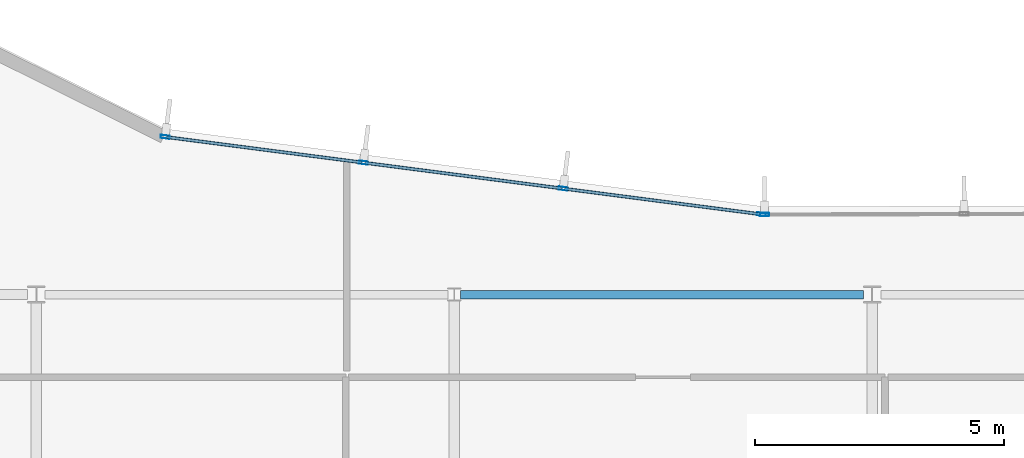
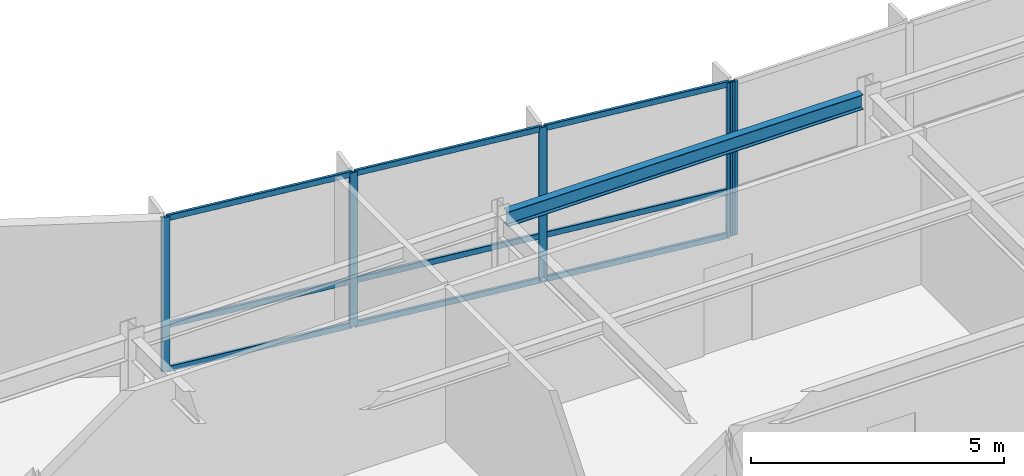
# One storey, part 6 of 15: 14 members, 1 beam, 2 elements without a shape of their own.
"""IFC4 building model written with IfcOpenShell, lengths in metres."""

from ifc_helpers import new_model, si_unit, direction, frame, origin, origin_2d, place, context, subcontext, project, spatial, hollow_rectangle, i_section, extrude, material, layer, layer_set, material_profile, profile_set, type_object, element, aggregate, save


model = new_model("IFC4")

# Units and contexts
model_context = context("Model", 3, precision=1e-05, world=origin(), true_north=direction((0.0, 1.0)))
body_context = subcontext(model_context, "Body", "Model", "MODEL_VIEW")
ifc_project = project(units=[si_unit("LENGTHUNIT", "METRE"), si_unit("AREAUNIT", "SQUARE_METRE"), si_unit("VOLUMEUNIT", "CUBIC_METRE"), si_unit("PLANEANGLEUNIT", "RADIAN"), si_unit("MASSUNIT", "GRAM", prefix="KILO")], contexts=[model_context])

# Site, building, storey
site_placement = place(None, origin())
site = spatial("IfcSite", under=ifc_project, at=site_placement, CompositionType="ELEMENT")
building_placement = place(site_placement, origin())
building = spatial("IfcBuilding", under=site, at=building_placement, Name="Varnakote Quay Hospital", CompositionType="ELEMENT")
storey_placement = place(building_placement, frame((0.0, 0.0, 248.64990234375)))
storey = spatial("IfcBuildingStorey", under=building, at=storey_placement, Name="L61", CompositionType="ELEMENT", Elevation=248.64990234375)

# Curtain wall, member
ifc_material_1 = material(Name="Anodised aluminium 6063-T6 Bronze", Category="aluminium")
ifc_layer = layer(ifc_material_1, 0.235107421875)
ifc_layer_set = layer_set([ifc_layer], Name="Anodised aluminium 6063-T6 Bronze")
curtain_wall_type = type_object("IfcCurtainWallType", Name="CW-SYS-5", PredefinedType="NOTDEFINED", material=ifc_layer_set)
curtain_wall_1_placement = place(storey_placement, origin())
curtain_wall_1 = element("IfcCurtainWall", 1, at=curtain_wall_1_placement, inside=storey, type_object=curtain_wall_type, Name="L61 Unitised Bronze Curtain Wall 1", PredefinedType="NOTDEFINED")
ifc_material_2 = material(Name="Anodised aluminium 6063-T6 Bronze", Category="aluminium")
ifc_material_profile_1 = material_profile(ifc_material_2, hollow_rectangle(XDim=0.06494140625, YDim=0.179931640625, WallThickness=0.00390625, InnerFilletRadius=0.00390625, OuterFilletRadius=0.008056640625, at=origin_2d()), Name="CW-MULL-180x65")
ifc_profile_set_1 = profile_set([ifc_material_profile_1], Name="Anodised aluminium 6063-T6 Bronze")
member_type_1 = type_object("IfcMemberType", Name="CW-MULL-180x65", PredefinedType="MULLION", material=ifc_profile_set_1)
member_1_placement = place(storey_placement, frame((31.4384765625, 30.408203125, 0.0), z_axis=(0.0, 0.0, 1.0), x_axis=(0.002604222224, -0.999996609008, 0.0)))
member_1 = element("IfcMember", 2, at=member_1_placement, type_object=member_type_1, Name="-5-L61-1 mullion 4", PredefinedType="MULLION", context=body_context, shape_type="SweptSolid", body=[
    extrude(hollow_rectangle(XDim=0.06494140625, YDim=0.179931640625, WallThickness=0.00390625, InnerFilletRadius=0.00390625, OuterFilletRadius=0.008056640625, at=origin_2d()), origin(), (0.0, 0.0, 1.0), 3.710205078125),
])
aggregate(curtain_wall_1, [member_1])

# Curtain wall, members
curtain_wall_2_placement = place(storey_placement, origin())
curtain_wall_2 = element("IfcCurtainWall", 3, at=curtain_wall_2_placement, inside=storey, type_object=curtain_wall_type, Name="L61 Unitised Bronze Curtain Wall 2", PredefinedType="NOTDEFINED")
member_2_placement = place(storey_placement, frame((31.373779296875, 30.412109375, 0.0), z_axis=(0.0, 0.0, 1.0), x_axis=(-0.128787109389, -0.99167226464, 0.0)))
member_2 = element("IfcMember", 4, at=member_2_placement, type_object=member_type_1, Name="-5-L61-2 mullion 1", PredefinedType="MULLION", context=body_context, shape_type="SweptSolid", body=[
    extrude(hollow_rectangle(XDim=0.06494140625, YDim=0.179931640625, WallThickness=0.00390625, InnerFilletRadius=0.00390625, OuterFilletRadius=0.008056640625, at=origin_2d()), origin(), (0.0, 0.0, 1.0), 3.710205078125),
])
member_3_placement = place(storey_placement, frame((27.3896484375, 30.9296875, 0.0), z_axis=(0.0, 0.0, 1.0), x_axis=(-0.128787109389, -0.99167226464, 0.0)))
member_3 = element("IfcMember", 5, at=member_3_placement, type_object=member_type_1, Name="-5-L61-2 mullion 2", PredefinedType="MULLION", context=body_context, shape_type="SweptSolid", body=[
    extrude(hollow_rectangle(XDim=0.06494140625, YDim=0.179931640625, WallThickness=0.00390625, InnerFilletRadius=0.00390625, OuterFilletRadius=0.008056640625, at=origin_2d()), origin(), (0.0, 0.0, 1.0), 3.710205078125),
])
member_4_placement = place(storey_placement, frame((23.373046875, 31.451171875, 0.0), z_axis=(0.0, 0.0, 1.0), x_axis=(-0.128787109389, -0.99167226464, 0.0)))
member_4 = element("IfcMember", 6, at=member_4_placement, type_object=member_type_1, Name="-5-L61-2 mullion 3", PredefinedType="MULLION", context=body_context, shape_type="SweptSolid", body=[
    extrude(hollow_rectangle(XDim=0.06494140625, YDim=0.179931640625, WallThickness=0.00390625, InnerFilletRadius=0.00390625, OuterFilletRadius=0.008056640625, at=origin_2d()), origin(), (0.0, 0.0, 1.0), 3.710205078125),
])
member_5_placement = place(storey_placement, frame((19.388916015625, 31.968505859375, 0.0), z_axis=(0.0, 0.0, 1.0), x_axis=(-0.128787109389, -0.99167226464, 0.0)))
member_5 = element("IfcMember", 7, at=member_5_placement, type_object=member_type_1, Name="-5-L61-2 mullion 4", PredefinedType="MULLION", context=body_context, shape_type="SweptSolid", body=[
    extrude(hollow_rectangle(XDim=0.06494140625, YDim=0.179931640625, WallThickness=0.00390625, InnerFilletRadius=0.00390625, OuterFilletRadius=0.008056640625, at=origin_2d()), origin(), (0.0, 0.0, 1.0), 3.710205078125),
])
ifc_material_3 = material(Name="Anodised aluminium 6063-T6 Bronze", Category="aluminium")
ifc_material_profile_2 = material_profile(ifc_material_3, hollow_rectangle(XDim=0.06494140625, YDim=0.139892578125, WallThickness=0.00390625, InnerFilletRadius=0.00390625, OuterFilletRadius=0.007568359375, at=origin_2d()), Name="CW-TRAN-140x65")
ifc_profile_set_2 = profile_set([ifc_material_profile_2], Name="Anodised aluminium 6063-T6 Bronze")
member_type_2 = type_object("IfcMemberType", Name="CW-TRAN-140x65", PredefinedType="USERDEFINED", material=ifc_profile_set_2)
member_6_placement = place(storey_placement, frame((31.341552734375, 30.416259765625, 0.03271484375), z_axis=(-0.991672585768, 0.128784636644, 0.0), x_axis=(-0.128784636644, -0.991672585768, 0.0)))
member_6 = element("IfcMember", 8, at=member_6_placement, type_object=member_type_2, Name="-5-L61-2 transom 1.1", ObjectType="TRANSOM", PredefinedType="USERDEFINED", context=body_context, shape_type="SweptSolid", body=[
    extrude(hollow_rectangle(XDim=0.06494140625, YDim=0.139892578125, WallThickness=0.00390625, InnerFilletRadius=0.00390625, OuterFilletRadius=0.007568359375, at=origin_2d()), origin(), (0.0, 0.0, 1.0), 3.95263671875),
])
member_7_placement = place(storey_placement, frame((31.341552734375, 30.416259765625, 1.10009765625), z_axis=(-0.991672585768, 0.128784636644, 0.0), x_axis=(-0.128784636644, -0.991672585768, 0.0)))
member_7 = element("IfcMember", 9, at=member_7_placement, type_object=member_type_2, Name="-5-L61-2 transom 1.2", ObjectType="TRANSOM", PredefinedType="USERDEFINED", context=body_context, shape_type="SweptSolid", body=[
    extrude(hollow_rectangle(XDim=0.06494140625, YDim=0.139892578125, WallThickness=0.00390625, InnerFilletRadius=0.00390625, OuterFilletRadius=0.007568359375, at=origin_2d()), origin(), (0.0, 0.0, 1.0), 3.95263671875),
])
member_8_placement = place(storey_placement, frame((31.341552734375, 30.416259765625, 3.677490234375), z_axis=(-0.991672585768, 0.128784636644, 0.0), x_axis=(-0.128784636644, -0.991672585768, 0.0)))
member_8 = element("IfcMember", 10, at=member_8_placement, type_object=member_type_2, Name="-5-L61-2 transom 1.3", ObjectType="TRANSOM", PredefinedType="USERDEFINED", context=body_context, shape_type="SweptSolid", body=[
    extrude(hollow_rectangle(XDim=0.06494140625, YDim=0.139892578125, WallThickness=0.00390625, InnerFilletRadius=0.00390625, OuterFilletRadius=0.007568359375, at=origin_2d()), origin(), (0.0, 0.0, 1.0), 3.95263671875),
])
member_9_placement = place(storey_placement, frame((27.357421875, 30.933837890625, 0.03271484375), z_axis=(-0.991673699284, 0.128776062019, 0.0), x_axis=(-0.128776062019, -0.991673699284, 0.0)))
member_9 = element("IfcMember", 11, at=member_9_placement, type_object=member_type_2, Name="-5-L61-2 transom 2.1", ObjectType="TRANSOM", PredefinedType="USERDEFINED", context=body_context, shape_type="SweptSolid", body=[
    extrude(hollow_rectangle(XDim=0.06494140625, YDim=0.139892578125, WallThickness=0.00390625, InnerFilletRadius=0.00390625, OuterFilletRadius=0.007568359375, at=origin_2d()), origin(), (0.0, 0.0, 1.0), 3.985107421875),
])
member_10_placement = place(storey_placement, frame((27.357421875, 30.933837890625, 1.10009765625), z_axis=(-0.991673699284, 0.128776062019, 0.0), x_axis=(-0.128776062019, -0.991673699284, 0.0)))
member_10 = element("IfcMember", 12, at=member_10_placement, type_object=member_type_2, Name="-5-L61-2 transom 2.2", ObjectType="TRANSOM", PredefinedType="USERDEFINED", context=body_context, shape_type="SweptSolid", body=[
    extrude(hollow_rectangle(XDim=0.06494140625, YDim=0.139892578125, WallThickness=0.00390625, InnerFilletRadius=0.00390625, OuterFilletRadius=0.007568359375, at=origin_2d()), origin(), (0.0, 0.0, 1.0), 3.985107421875),
])
member_11_placement = place(storey_placement, frame((27.357421875, 30.933837890625, 3.677490234375), z_axis=(-0.991673699284, 0.128776062019, 0.0), x_axis=(-0.128776062019, -0.991673699284, 0.0)))
member_11 = element("IfcMember", 13, at=member_11_placement, type_object=member_type_2, Name="-5-L61-2 transom 2.3", ObjectType="TRANSOM", PredefinedType="USERDEFINED", context=body_context, shape_type="SweptSolid", body=[
    extrude(hollow_rectangle(XDim=0.06494140625, YDim=0.139892578125, WallThickness=0.00390625, InnerFilletRadius=0.00390625, OuterFilletRadius=0.007568359375, at=origin_2d()), origin(), (0.0, 0.0, 1.0), 3.985107421875),
])
member_12_placement = place(storey_placement, frame((23.3408203125, 31.455322265625, 0.03271484375), z_axis=(-0.991672585768, 0.128784636644, 0.0), x_axis=(-0.128784636644, -0.991672585768, 0.0)))
member_12 = element("IfcMember", 14, at=member_12_placement, type_object=member_type_2, Name="-5-L61-2 transom 3.1", ObjectType="TRANSOM", PredefinedType="USERDEFINED", context=body_context, shape_type="SweptSolid", body=[
    extrude(hollow_rectangle(XDim=0.06494140625, YDim=0.139892578125, WallThickness=0.00390625, InnerFilletRadius=0.00390625, OuterFilletRadius=0.007568359375, at=origin_2d()), origin(), (0.0, 0.0, 1.0), 3.95263671875),
])
member_13_placement = place(storey_placement, frame((23.3408203125, 31.455322265625, 1.10009765625), z_axis=(-0.991672585768, 0.128784636644, 0.0), x_axis=(-0.128784636644, -0.991672585768, 0.0)))
member_13 = element("IfcMember", 15, at=member_13_placement, type_object=member_type_2, Name="-5-L61-2 transom 3.2", ObjectType="TRANSOM", PredefinedType="USERDEFINED", context=body_context, shape_type="SweptSolid", body=[
    extrude(hollow_rectangle(XDim=0.06494140625, YDim=0.139892578125, WallThickness=0.00390625, InnerFilletRadius=0.00390625, OuterFilletRadius=0.007568359375, at=origin_2d()), origin(), (0.0, 0.0, 1.0), 3.95263671875),
])
member_14_placement = place(storey_placement, frame((23.3408203125, 31.455322265625, 3.677490234375), z_axis=(-0.991672585768, 0.128784636644, 0.0), x_axis=(-0.128784636644, -0.991672585768, 0.0)))
member_14 = element("IfcMember", 16, at=member_14_placement, type_object=member_type_2, Name="-5-L61-2 transom 3.3", ObjectType="TRANSOM", PredefinedType="USERDEFINED", context=body_context, shape_type="SweptSolid", body=[
    extrude(hollow_rectangle(XDim=0.06494140625, YDim=0.139892578125, WallThickness=0.00390625, InnerFilletRadius=0.00390625, OuterFilletRadius=0.007568359375, at=origin_2d()), origin(), (0.0, 0.0, 1.0), 3.95263671875),
])
aggregate(curtain_wall_2, [member_2, member_3, member_4, member_5, member_6, member_7, member_8, member_9, member_10, member_11, member_12, member_13, member_14])

# Beam
ifc_material_4 = material(Name="Structural steel AS/NZS 3679.1 Grade 350 L0 (fy 340 MPa)", Category="steel")
ifc_material_profile_3 = material_profile(ifc_material_4, i_section(OverallWidth=0.172119140625, OverallDepth=0.35888671875, WebThickness=0.008056640625, FlangeThickness=0.012939453125, FilletRadius=0.011474609375, at=origin_2d()), Name="360UB56.7")
ifc_profile_set_3 = profile_set([ifc_material_profile_3], Name="Structural steel AS/NZS 3679.1 Grade 350 L0 (fy 340 MPa)")
beam_type = type_object("IfcBeamType", Name="SPN-STL-360UB56-7", PredefinedType="SPANDREL", material=ifc_profile_set_3)
beam_placement = place(storey_placement, frame((25.326904296875, 28.800048828125, 3.530517578125), z_axis=(1.0, 0.0, 0.0), x_axis=(0.0, 1.0, 0.0)))
element("IfcBeam", 17, at=beam_placement, inside=storey, type_object=beam_type, Name="L61 Perimeter Spandrel Beam", PredefinedType="SPANDREL", context=body_context, shape_type="SweptSolid", body=[
    extrude(i_section(OverallWidth=0.172119140625, OverallDepth=0.35888671875, WebThickness=0.008056640625, FlangeThickness=0.012939453125, FilletRadius=0.011474609375, at=origin_2d()), origin(), (0.0, 0.0, 1.0), 8.09814453125),
])

save(model, "model.ifc")
